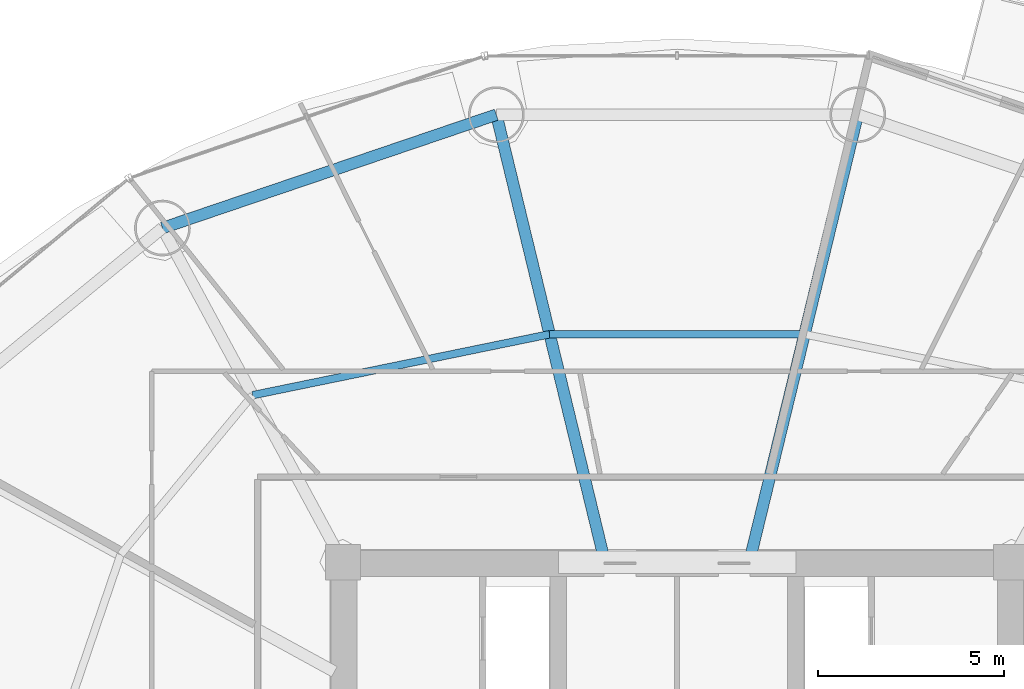
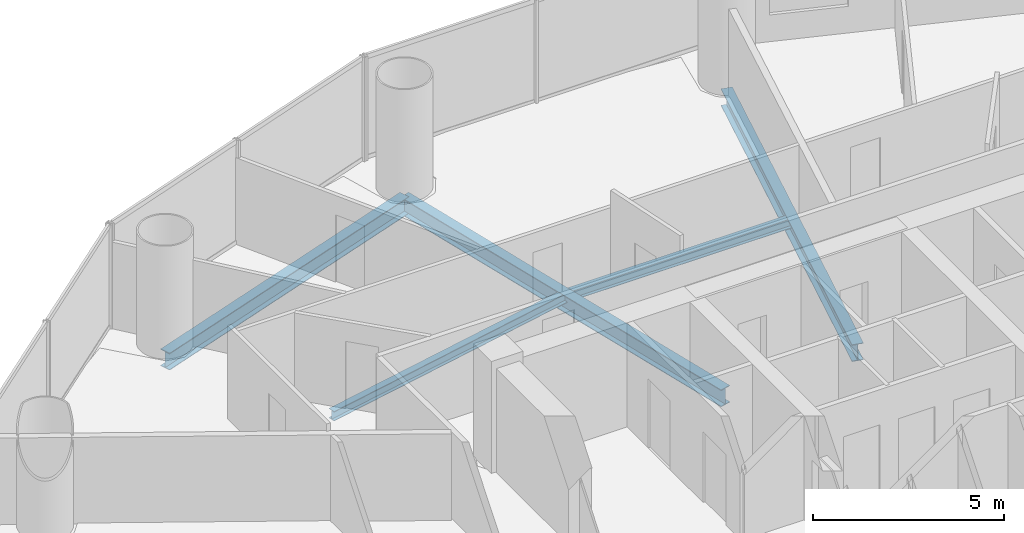
# One storey, part 16 of 28: 5 beams.
"""IFC4 building model written with IfcOpenShell, lengths in metres."""

from ifc_helpers import new_model, si_unit, direction, frame, origin, origin_2d, place, context, subcontext, project, spatial, i_section, extrude, material, material_profile, profile_set, type_object, element, save


model = new_model("IFC4")

# Units and contexts
model_context = context("Model", 3, precision=1e-05, world=origin(), true_north=direction((-0.2419218956, 0.970295726276)))
body_context = subcontext(model_context, "Body", "Model", "MODEL_VIEW")
ifc_project = project(units=[si_unit("LENGTHUNIT", "METRE"), si_unit("AREAUNIT", "SQUARE_METRE"), si_unit("VOLUMEUNIT", "CUBIC_METRE"), si_unit("PLANEANGLEUNIT", "RADIAN"), si_unit("MASSUNIT", "GRAM", prefix="KILO")], contexts=[model_context])

# Site, building, storey
site_placement = place(None, origin())
site = spatial("IfcSite", under=ifc_project, at=site_placement, CompositionType="ELEMENT")
building_placement = place(site_placement, origin())
building = spatial("IfcBuilding", under=site, at=building_placement, Name="Cobrevalo Terracotta Tower", CompositionType="ELEMENT")
storey_placement = place(building_placement, frame((0.0, 0.0, 105.0)))
storey = spatial("IfcBuildingStorey", under=building, at=storey_placement, Name="L27", CompositionType="ELEMENT", Elevation=105.0)

# Beams
ifc_material = material(Name="Steel S355", Category="steel")
ifc_material_profile_1 = material_profile(ifc_material, i_section(OverallWidth=0.31201171875, OverallDepth=0.54296875, WebThickness=0.0126953125, FlangeThickness=0.020263671875, at=origin_2d()), Name="W 530x150")
ifc_profile_set_1 = profile_set([ifc_material_profile_1], Name="Steel S355")
beam_type_1 = type_object("IfcBeamType", Name="Structural Beam W 530x150 (Steel S355)", PredefinedType="BEAM", material=ifc_profile_set_1)
for number, where, z_axis, x_axis, name in (
    (1, (42.867431640625, 46.857177734375, -0.54638671875), (-0.235827379387, -0.971794961467, 0.0), (0.971794961467, -0.235827379387, 0.0), "L27 radial floor girder 04"),
    (2, (33.132568359375, 46.857177734375, -0.54638671875), (0.235827379387, -0.971794961467, 0.0), (0.971794961467, 0.235827379387, 0.0), "L27 radial floor girder 05"),
):
    element("IfcBeam", number, at=place(storey_placement, frame(where, z_axis=z_axis, x_axis=x_axis)), inside=storey, type_object=beam_type_1, Name=name, PredefinedType="BEAM", context=body_context, shape_type="SweptSolid", body=[
        extrude(i_section(OverallWidth=0.31201171875, OverallDepth=0.54296875, WebThickness=0.0126953125, FlangeThickness=0.020263671875, at=origin_2d()), origin(), (0.0, 0.0, 1.0), 12.17041015625),
    ])
ifc_material_profile_2 = material_profile(ifc_material, i_section(OverallWidth=0.2041015625, OverallDepth=0.305908203125, WebThickness=0.008544921875, FlangeThickness=0.0146484375, at=origin_2d()), Name="W 310x67")
ifc_profile_set_2 = profile_set([ifc_material_profile_2], Name="Steel S355")
beam_type_2 = type_object("IfcBeamType", Name="Structural Joist W 310x67 (Steel S355)", PredefinedType="JOIST", material=ifc_profile_set_2)
beam_1_placement = place(storey_placement, frame((41.432373046875, 40.943603515625, -0.427978515625), z_axis=(-1.0, 0.0, 0.0), x_axis=(0.0, -1.0, 0.0)))
element("IfcBeam", 3, at=beam_1_placement, inside=storey, type_object=beam_type_2, Name="L27 circumferential secondary floor joist 04", PredefinedType="JOIST", context=body_context, shape_type="SweptSolid", body=[
    extrude(i_section(OverallWidth=0.2041015625, OverallDepth=0.305908203125, WebThickness=0.008544921875, FlangeThickness=0.0146484375, at=origin_2d()), origin(), (0.0, 0.0, 1.0), 6.86474609375),
])
beam_2_placement = place(storey_placement, frame((34.567626953125, 40.943603515625, -0.427978515625), z_axis=(-0.979574469315, -0.201081722357, 0.0), x_axis=(0.201081722357, -0.979574469315, 0.0)))
element("IfcBeam", 4, at=beam_2_placement, inside=storey, type_object=beam_type_2, Name="L27 circumferential secondary floor joist 05", PredefinedType="JOIST", context=body_context, shape_type="SweptSolid", body=[
    extrude(i_section(OverallWidth=0.2041015625, OverallDepth=0.305908203125, WebThickness=0.008544921875, FlangeThickness=0.0146484375, at=origin_2d()), origin(), (0.0, 0.0, 1.0), 8.1650390625),
])
ifc_material_profile_3 = material_profile(ifc_material, i_section(OverallWidth=0.31201171875, OverallDepth=0.54296875, WebThickness=0.0126953125, FlangeThickness=0.020263671875, at=origin_2d()), Name="W 530x150")
ifc_profile_set_3 = profile_set([ifc_material_profile_3], Name="Steel S355")
beam_type_3 = type_object("IfcBeamType", Name="Structural Spandrel W 530x150 (Steel S355)", PredefinedType="SPANDREL", material=ifc_profile_set_3)
beam_3_placement = place(storey_placement, frame((33.132568359375, 46.857177734375, -0.54638671875), z_axis=(-0.946910528816, -0.32149720126, 0.0), x_axis=(0.32149720126, -0.946910528816, 0.0)))
element("IfcBeam", 5, at=beam_3_placement, inside=storey, type_object=beam_type_3, Name="L27 perimeter ring spandrel 05", PredefinedType="SPANDREL", context=body_context, shape_type="SweptSolid", body=[
    extrude(i_section(OverallWidth=0.31201171875, OverallDepth=0.54296875, WebThickness=0.0126953125, FlangeThickness=0.020263671875, at=origin_2d()), origin(), (0.0, 0.0, 1.0), 9.498291015625),
])

save(model, "model.ifc")
